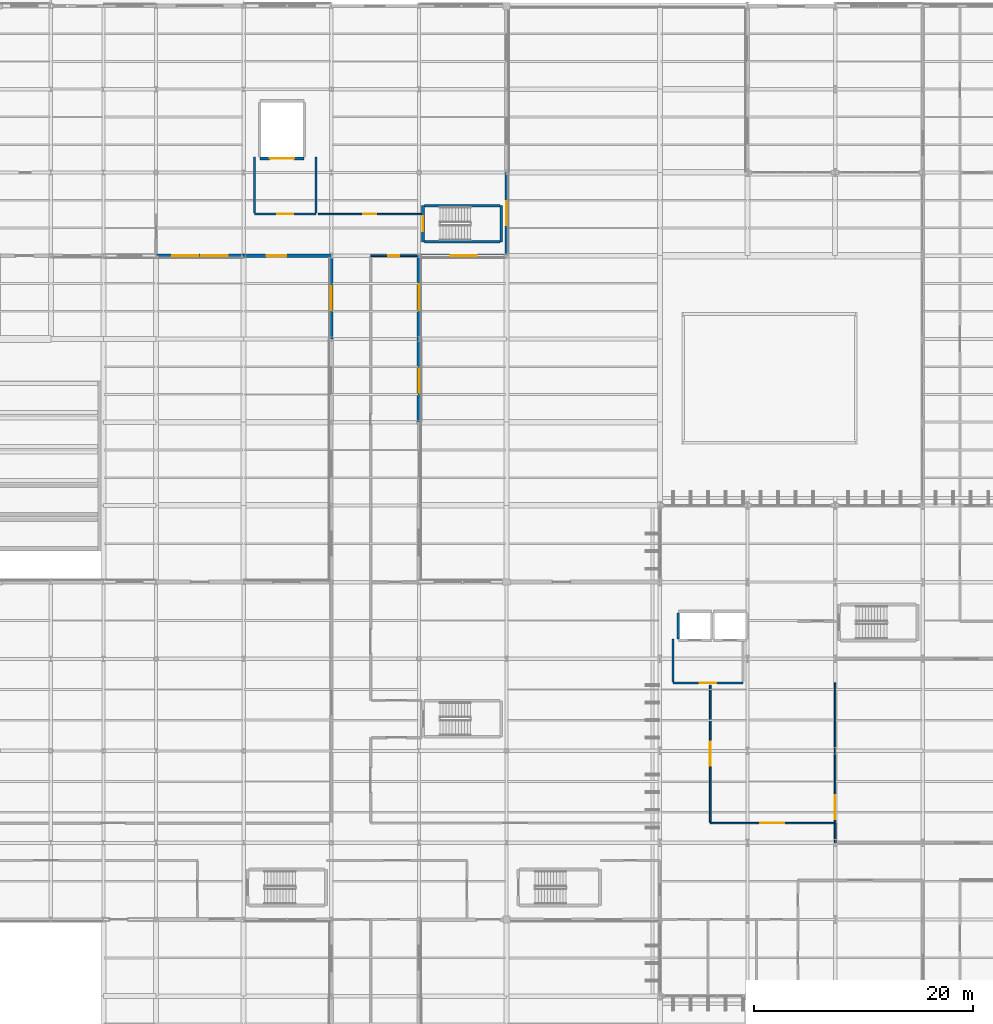
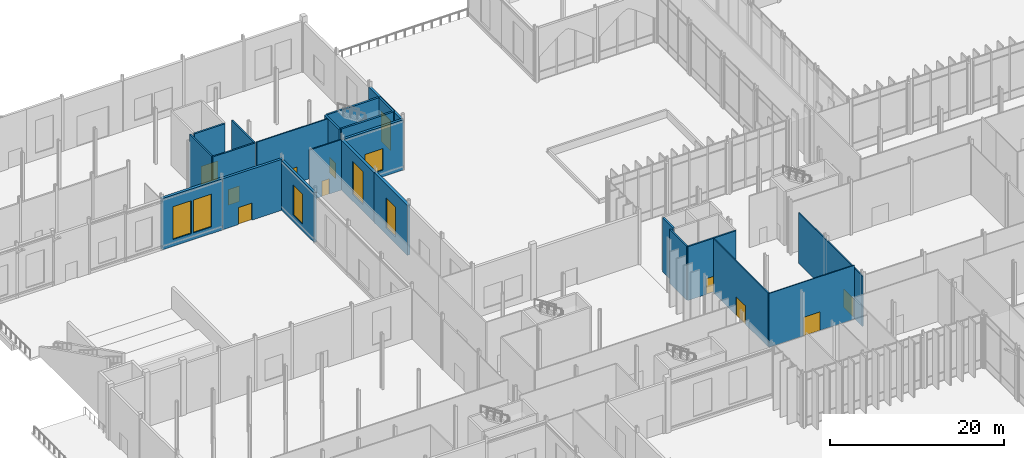
# One storey, part 139 of 176: 24 walls, 10 doors, 7 windows, 17 openings.
"""IFC4 building model written with IfcOpenShell, lengths in metres."""

from ifc_helpers import new_model, si_unit, direction, frame, frame_2d, origin, place, context, subcontext, project, spatial, rectangle, extrude, material, layer, layer_set, type_object, element, fill, save


model = new_model("IFC4")

# Units and contexts
model_context = context("Model", 3, precision=1e-05, world=origin(), true_north=direction((0.0, 1.0)))
body_context = subcontext(model_context, "Body", "Model", "MODEL_VIEW")
ifc_project = project(units=[si_unit("LENGTHUNIT", "METRE"), si_unit("AREAUNIT", "SQUARE_METRE"), si_unit("VOLUMEUNIT", "CUBIC_METRE"), si_unit("PLANEANGLEUNIT", "RADIAN"), si_unit("MASSUNIT", "GRAM", prefix="KILO")], contexts=[model_context])

# Site, building, storey
site_placement = place(None, origin())
site = spatial("IfcSite", under=ifc_project, at=site_placement, CompositionType="ELEMENT")
building_placement = place(site_placement, origin())
building = spatial("IfcBuilding", under=site, at=building_placement, Name="Vekula Escarpment Museum", CompositionType="ELEMENT")
storey_placement = place(building_placement, origin())
storey = spatial("IfcBuildingStorey", under=building, at=storey_placement, Name="L01", CompositionType="ELEMENT", Elevation=0.0)

# Wall, opening, window
ifc_material_1 = material(Name="Inkisi arkosic sandstone masonry", Category="masonry")
ifc_layer_1 = layer(ifc_material_1, 0.300048828125)
ifc_layer_set_1 = layer_set([ifc_layer_1], Name="Inkisi arkosic sandstone masonry")
wall_type_1 = type_object("IfcWallType", Name="WL-ALM-300", PredefinedType="SOLIDWALL", material=ifc_layer_set_1)
wall_1_placement = place(storey_placement, frame((56.0, 120.800048828125, 0.0), z_axis=(0.0, 0.0, 1.0), x_axis=(0.0, -1.0, 0.0)))
wall_1 = element("IfcWall", 1, at=wall_1_placement, inside=storey, type_object=wall_type_1, Name="Exterior Wall WL-EXT-L01-0215", PredefinedType="SOLIDWALL", context=body_context, shape_type="SweptSolid", body=[
    extrude(rectangle(XDim=7.43603515625, YDim=0.300048828125, at=frame_2d((3.718017578125, 0.0))), origin(), (0.0, 0.0, 1.0), 6.965087890625),
])
opening_1_placement = place(wall_1_placement, frame((2.617919921875, 0.0, 0.949951171875)))
opening_1 = element("IfcOpeningElement", 2, at=opening_1_placement, cuts=wall_1, Name="Opening WN-04", PredefinedType="OPENING", context=body_context, shape_type="SweptSolid", body=[
    extrude(rectangle(XDim=2.199951171875, YDim=4.199951171875, at=frame_2d((1.10009765625, 2.10009765625))), frame((0.0, 0.159912109375, 0.0), z_axis=(0.0, -1.0, 0.0), x_axis=(1.0, 0.0, 0.0)), (0.0, 0.0, 1.0), 0.320068359375),
])
ifc_material_2 = material(Name="Double solar-control low-E glass", Category="glass")
window_type_1 = type_object("IfcWindowType", Name="WN-ARCH-22x42", PartitioningType="DOUBLE_PANEL_VERTICAL", PredefinedType="WINDOW", material=ifc_material_2)
window_1_placement = place(opening_1_placement, origin())
window_1 = element("IfcWindow", 3, at=window_1_placement, inside=storey, type_object=window_type_1, Name="Window L01-0079", OverallHeight=4.199951171875, OverallWidth=2.199951171875, PartitioningType="SINGLE_PANEL", PredefinedType="WINDOW", context=body_context, shape_type="SweptSolid", body=[
    extrude(rectangle(XDim=2.199951171875, YDim=4.199951171875, at=frame_2d((1.10009765625, 2.10009765625))), frame((0.0, 0.030029296875, 0.0), z_axis=(0.0, -1.0, 0.0), x_axis=(1.0, 0.0, 0.0)), (0.0, 0.0, 1.0), 0.06005859375),
])
fill(opening_1, window_1)

wall_2_placement = place(storey_placement, frame((40.0, 105.60009765625, 0.0), z_axis=(0.0, 0.0, 1.0), x_axis=(0.0, 1.0, 0.0)))
wall_2 = element("IfcWall", 4, at=wall_2_placement, inside=storey, type_object=wall_type_1, Name="Exterior Wall WL-EXT-L01-0239", PredefinedType="SOLIDWALL", context=body_context, shape_type="SweptSolid", body=[
    extrude(rectangle(XDim=7.435791015625, YDim=0.300048828125, at=frame_2d((3.7177734375, 0.0))), origin(), (0.0, 0.0, 1.0), 6.965087890625),
])
opening_2_placement = place(wall_2_placement, frame((2.617919921875, 0.0, 0.949951171875)))
opening_2 = element("IfcOpeningElement", 5, at=opening_2_placement, cuts=wall_2, Name="Opening WN-04", PredefinedType="OPENING", context=body_context, shape_type="SweptSolid", body=[
    extrude(rectangle(XDim=2.199951171875, YDim=4.199951171875, at=frame_2d((1.10009765625, 2.10009765625))), frame((0.0, 0.159912109375, 0.0), z_axis=(0.0, -1.0, 0.0), x_axis=(1.0, 0.0, 0.0)), (0.0, 0.0, 1.0), 0.320068359375),
])
window_2_placement = place(opening_2_placement, origin())
window_2 = element("IfcWindow", 6, at=window_2_placement, inside=storey, type_object=window_type_1, Name="Window L01-0097", OverallHeight=4.199951171875, OverallWidth=2.199951171875, PartitioningType="SINGLE_PANEL", PredefinedType="WINDOW", context=body_context, shape_type="SweptSolid", body=[
    extrude(rectangle(XDim=2.199951171875, YDim=4.199951171875, at=frame_2d((1.10009765625, 2.10009765625))), frame((0.0, 0.030029296875, 0.0), z_axis=(0.0, -1.0, 0.0), x_axis=(1.0, 0.0, 0.0)), (0.0, 0.0, 1.0), 0.06005859375),
])
fill(opening_2, window_2)

ifc_material_3 = material(Name="Inkisi arkosic sandstone masonry", Category="masonry")
ifc_layer_2 = layer(ifc_material_3, 0.320068359375)
ifc_layer_set_2 = layer_set([ifc_layer_2], Name="Inkisi arkosic sandstone masonry")
wall_type_2 = type_object("IfcWallType", Name="WL-ALM-320", PredefinedType="SOLIDWALL", material=ifc_layer_set_2)
wall_3_placement = place(storey_placement, frame((56.0, 113.199951171875, 0.0), z_axis=(0.0, 0.0, 1.0), x_axis=(-1.0, 0.0, 0.0)))
wall_3 = element("IfcWall", 7, at=wall_3_placement, inside=storey, type_object=wall_type_2, Name="Exterior Wall WL-EXT-L01-0214", PredefinedType="SOLIDWALL", context=body_context, shape_type="SweptSolid", body=[
    extrude(rectangle(XDim=7.821044921875, YDim=0.320068359375, at=frame_2d((3.91064453125, 0.0))), origin(), (0.0, 0.0, 1.0), 7.06494140625),
])
opening_3_placement = place(wall_3_placement, frame((2.71044921875, 0.0, 0.949951171875)))
opening_3 = element("IfcOpeningElement", 8, at=opening_3_placement, cuts=wall_3, Name="Opening WN-14", PredefinedType="OPENING", context=body_context, shape_type="SweptSolid", body=[
    extrude(rectangle(XDim=2.39990234375, YDim=3.0, at=frame_2d((1.199951171875, 1.5))), frame((0.0, 0.169921875, 0.0), z_axis=(0.0, -1.0, 0.0), x_axis=(1.0, 0.0, 0.0)), (0.0, 0.0, 1.0), 0.340087890625),
])
ifc_material_4 = material(Name="Double solar-control low-E glass", Category="glass")
window_type_2 = type_object("IfcWindowType", Name="WN-CAFE-24x30", PartitioningType="TRIPLE_PANEL_VERTICAL", PredefinedType="WINDOW", material=ifc_material_4)
window_3_placement = place(opening_3_placement, origin())
window_3 = element("IfcWindow", 9, at=window_3_placement, inside=storey, type_object=window_type_2, Name="Window L01-0078", OverallHeight=3.0, OverallWidth=2.39990234375, PartitioningType="SINGLE_PANEL", PredefinedType="WINDOW", context=body_context, shape_type="SweptSolid", body=[
    extrude(rectangle(XDim=2.39990234375, YDim=3.0, at=frame_2d((1.199951171875, 1.5))), frame((0.0, 0.030029296875, 0.0), z_axis=(0.0, -1.0, 0.0), x_axis=(1.0, 0.0, 0.0)), (0.0, 0.0, 1.0), 0.06005859375),
])
fill(opening_3, window_3)

# Wall, opening, door
wall_4_placement = place(storey_placement, frame((40.0, 113.199951171875, 0.0), z_axis=(0.0, 0.0, 1.0), x_axis=(-1.0, 0.0, 0.0)))
wall_4 = element("IfcWall", 10, at=wall_4_placement, inside=storey, type_object=wall_type_2, Name="Exterior Wall WL-EXT-L01-0238", PredefinedType="SOLIDWALL", context=body_context, shape_type="SweptSolid", body=[
    extrude(rectangle(XDim=8.0, YDim=0.320068359375, at=frame_2d((4.0, 0.0))), origin(), (0.0, 0.0, 1.0), 7.14501953125),
])
opening_4_placement = place(wall_4_placement, frame((4.10009765625, 0.0, 0.0)))
opening_4 = element("IfcOpeningElement", 11, at=opening_4_placement, cuts=wall_4, Name="Opening D-EX26", PredefinedType="OPENING", context=body_context, shape_type="SweptSolid", body=[
    extrude(rectangle(XDim=1.800048828125, YDim=2.39990234375, at=frame_2d((0.89990234375, 1.199951171875))), frame((0.0, 0.169921875, 0.0), z_axis=(0.0, -1.0, 0.0), x_axis=(1.0, 0.0, 0.0)), (0.0, 0.0, 1.0), 0.340087890625),
])
ifc_material_5 = material(Name="Powder-coated steel exit door", Category="steel")
door_type_1 = type_object("IfcDoorType", Name="DR-EX-1800x2400", OperationType="NOTDEFINED", PredefinedType="DOOR", material=ifc_material_5)
door_1_placement = place(opening_4_placement, origin())
door_1 = element("IfcDoor", 12, at=door_1_placement, inside=storey, type_object=door_type_1, Name="North ST-03 Protected Exit Door D-EX26", OperationType="SINGLE_SWING_RIGHT", OverallHeight=2.39990234375, OverallWidth=1.800048828125, PredefinedType="DOOR", context=body_context, shape_type="SweptSolid", body=[
    extrude(rectangle(XDim=1.800048828125, YDim=2.39990234375, at=frame_2d((0.89990234375, 1.199951171875))), frame((0.0, 0.02490234375, 0.0), z_axis=(0.0, -1.0, 0.0), x_axis=(1.0, 0.0, 0.0)), (0.0, 0.0, 1.0), 0.050048828125),
])
fill(opening_4, door_1)

# Wall, opening, window
ifc_material_6 = material(Name="Inkisi arkosic sandstone masonry", Category="masonry")
ifc_layer_3 = layer(ifc_material_6, 0.35009765625)
ifc_layer_set_3 = layer_set([ifc_layer_3], Name="Inkisi arkosic sandstone masonry")
wall_type_3 = type_object("IfcWallType", Name="WL-ALM-350", PredefinedType="SOLIDWALL", material=ifc_layer_set_3)
wall_5_placement = place(storey_placement, frame((48.0, 113.199951171875, 0.0), z_axis=(0.0, 0.0, 1.0), x_axis=(0.0, -1.0, 0.0)))
wall_5 = element("IfcWall", 13, at=wall_5_placement, inside=storey, type_object=wall_type_3, Name="Exterior Wall WL-EXT-L01-0213", PredefinedType="SOLIDWALL", context=body_context, shape_type="SweptSolid", body=[
    extrude(rectangle(XDim=7.599853515625, YDim=0.35009765625, at=frame_2d((3.7998046875, 0.0))), origin(), (0.0, 0.0, 1.0), 6.965087890625),
])
opening_5_placement = place(wall_5_placement, frame((2.60009765625, 0.0, 0.949951171875)))
opening_5 = element("IfcOpeningElement", 14, at=opening_5_placement, cuts=wall_5, Name="Opening WN-05", PredefinedType="OPENING", context=body_context, shape_type="SweptSolid", body=[
    extrude(rectangle(XDim=2.39990234375, YDim=4.60009765625, at=frame_2d((1.199951171875, 2.300048828125))), frame((0.0, 0.18505859375, 0.0), z_axis=(0.0, -1.0, 0.0), x_axis=(1.0, 0.0, 0.0)), (0.0, 0.0, 1.0), 0.3701171875),
])
ifc_material_7 = material(Name="Double solar-control low-E glass", Category="glass")
window_type_3 = type_object("IfcWindowType", Name="WN-ARCH-24x46", PartitioningType="TRIPLE_PANEL_VERTICAL", PredefinedType="WINDOW", material=ifc_material_7)
window_4_placement = place(opening_5_placement, origin())
window_4 = element("IfcWindow", 15, at=window_4_placement, inside=storey, type_object=window_type_3, Name="Window L01-0077", OverallHeight=4.60009765625, OverallWidth=2.39990234375, PartitioningType="SINGLE_PANEL", PredefinedType="WINDOW", context=body_context, shape_type="SweptSolid", body=[
    extrude(rectangle(XDim=2.39990234375, YDim=4.60009765625, at=frame_2d((1.199951171875, 2.300048828125))), frame((0.0, 0.030029296875, 0.0), z_axis=(0.0, -1.0, 0.0), x_axis=(1.0, 0.0, 0.0)), (0.0, 0.0, 1.0), 0.06005859375),
])
fill(opening_5, window_4)

# Wall, openings, windows
wall_6_placement = place(storey_placement, frame((32.0, 113.199951171875, 0.0), z_axis=(0.0, 0.0, 1.0), x_axis=(-1.0, 0.0, 0.0)))
wall_6 = element("IfcWall", 16, at=wall_6_placement, inside=storey, type_object=wall_type_3, Name="Exterior Wall WL-EXT-L01-0237", PredefinedType="SOLIDWALL", context=body_context, shape_type="SweptSolid", body=[
    extrude(rectangle(XDim=8.0, YDim=0.35009765625, at=frame_2d((4.0, 0.0))), origin(), (0.0, 0.0, 1.0), 7.18505859375),
])
opening_6_placement = place(wall_6_placement, frame((1.466796875, 0.0, 0.949951171875)))
opening_6 = element("IfcOpeningElement", 17, at=opening_6_placement, cuts=wall_6, Name="Opening WN-05", PredefinedType="OPENING", context=body_context, shape_type="SweptSolid", body=[
    extrude(rectangle(XDim=2.39990234375, YDim=4.60009765625, at=frame_2d((1.199951171875, 2.300048828125))), frame((0.0, 0.18505859375, 0.0), z_axis=(0.0, -1.0, 0.0), x_axis=(1.0, 0.0, 0.0)), (0.0, 0.0, 1.0), 0.3701171875),
])
opening_7_placement = place(wall_6_placement, frame((4.13330078125, 0.0, 0.949951171875)))
opening_7 = element("IfcOpeningElement", 18, at=opening_7_placement, cuts=wall_6, Name="Opening WN-05", PredefinedType="OPENING", context=body_context, shape_type="SweptSolid", body=[
    extrude(rectangle(XDim=2.39990234375, YDim=4.60009765625, at=frame_2d((1.199951171875, 2.300048828125))), frame((0.0, 0.18505859375, 0.0), z_axis=(0.0, -1.0, 0.0), x_axis=(1.0, 0.0, 0.0)), (0.0, 0.0, 1.0), 0.3701171875),
])
window_5_placement = place(opening_6_placement, origin())
window_5 = element("IfcWindow", 19, at=window_5_placement, inside=storey, type_object=window_type_3, Name="Window L01-0095", OverallHeight=4.60009765625, OverallWidth=2.39990234375, PartitioningType="SINGLE_PANEL", PredefinedType="WINDOW", context=body_context, shape_type="SweptSolid", body=[
    extrude(rectangle(XDim=2.39990234375, YDim=4.60009765625, at=frame_2d((1.199951171875, 2.300048828125))), frame((0.0, 0.030029296875, 0.0), z_axis=(0.0, -1.0, 0.0), x_axis=(1.0, 0.0, 0.0)), (0.0, 0.0, 1.0), 0.06005859375),
])
fill(opening_6, window_5)
window_6_placement = place(opening_7_placement, origin())
window_6 = element("IfcWindow", 20, at=window_6_placement, inside=storey, type_object=window_type_3, Name="Window L01-0096", OverallHeight=4.60009765625, OverallWidth=2.39990234375, PartitioningType="SINGLE_PANEL", PredefinedType="WINDOW", context=body_context, shape_type="SweptSolid", body=[
    extrude(rectangle(XDim=2.39990234375, YDim=4.60009765625, at=frame_2d((1.199951171875, 2.300048828125))), frame((0.0, 0.030029296875, 0.0), z_axis=(0.0, -1.0, 0.0), x_axis=(1.0, 0.0, 0.0)), (0.0, 0.0, 1.0), 0.06005859375),
])
fill(opening_7, window_6)

# Wall, opening, window
ifc_material_8 = material(Name="Inkisi arkosic sandstone masonry", Category="masonry")
ifc_layer_4 = layer(ifc_material_8, 0.3798828125)
ifc_layer_set_4 = layer_set([ifc_layer_4], Name="Inkisi arkosic sandstone masonry")
wall_type_4 = type_object("IfcWallType", Name="WL-ALM-380", PredefinedType="SOLIDWALL", material=ifc_layer_set_4)
wall_7_placement = place(storey_placement, frame((48.0, 105.60009765625, 0.0), z_axis=(0.0, 0.0, 1.0), x_axis=(0.0, -1.0, 0.0)))
wall_7 = element("IfcWall", 21, at=wall_7_placement, inside=storey, type_object=wall_type_4, Name="Exterior Wall WL-EXT-L01-0212", PredefinedType="SOLIDWALL", context=body_context, shape_type="SweptSolid", body=[
    extrude(rectangle(XDim=7.60009765625, YDim=0.3798828125, at=frame_2d((3.800048828125, 0.0))), origin(), (0.0, 0.0, 1.0), 7.02490234375),
])
opening_8_placement = place(wall_7_placement, frame((2.699951171875, 0.0, 0.949951171875)))
opening_8 = element("IfcOpeningElement", 22, at=opening_8_placement, cuts=wall_7, Name="Opening WN-04", PredefinedType="OPENING", context=body_context, shape_type="SweptSolid", body=[
    extrude(rectangle(XDim=2.199951171875, YDim=4.199951171875, at=frame_2d((1.10009765625, 2.10009765625))), frame((0.0, 0.199951171875, 0.0), z_axis=(0.0, -1.0, 0.0), x_axis=(1.0, 0.0, 0.0)), (0.0, 0.0, 1.0), 0.39990234375),
])
window_7_placement = place(opening_8_placement, origin())
window_7 = element("IfcWindow", 23, at=window_7_placement, inside=storey, type_object=window_type_1, Name="Window L01-0076", OverallHeight=4.199951171875, OverallWidth=2.199951171875, PartitioningType="SINGLE_PANEL", PredefinedType="WINDOW", context=body_context, shape_type="SweptSolid", body=[
    extrude(rectangle(XDim=2.199951171875, YDim=4.199951171875, at=frame_2d((1.10009765625, 2.10009765625))), frame((0.0, 0.030029296875, 0.0), z_axis=(0.0, -1.0, 0.0), x_axis=(1.0, 0.0, 0.0)), (0.0, 0.0, 1.0), 0.06005859375),
])
fill(opening_8, window_7)

# Wall, opening, door
ifc_material_9 = material(Name="Concrete C35/45", Category="concrete")
ifc_layer_5 = layer(ifc_material_9, 0.25)
ifc_layer_set_5 = layer_set([ifc_layer_5], Name="Concrete C35/45")
wall_type_5 = type_object("IfcWallType", Name="WL-CORE-250", PredefinedType="SHEAR", material=ifc_layer_set_5)
wall_8_placement = place(storey_placement, frame((48.375, 114.47509765625, 0.0), z_axis=(0.0, 0.0, 1.0), x_axis=(0.0, 1.0, 0.0)))
wall_8 = element("IfcWall", 24, at=wall_8_placement, inside=storey, type_object=wall_type_5, Name="Stair Core Wall ST-03 L01 W", PredefinedType="SHEAR", context=body_context, shape_type="SweptSolid", body=[
    extrude(rectangle(XDim=3.289794921875, YDim=0.25, at=frame_2d((1.64501953125, 0.0))), origin(), (0.0, 0.0, 1.0), 7.5400390625),
])
opening_9_placement = place(wall_8_placement, frame((0.945068359375, 0.0, 0.0)))
opening_9 = element("IfcOpeningElement", 25, at=opening_9_placement, cuts=wall_8, Name="Opening DR-FD60", PredefinedType="OPENING", context=body_context, shape_type="SweptSolid", body=[
    extrude(rectangle(XDim=1.39990234375, YDim=2.199951171875, at=frame_2d((0.699951171875, 1.10009765625))), frame((0.0, 0.135009765625, 0.0), z_axis=(0.0, -1.0, 0.0), x_axis=(1.0, 0.0, 0.0)), (0.0, 0.0, 1.0), 0.27001953125),
])
ifc_material_10 = material(Name="Fire-rated steel stair door", Category="steel")
door_type_2 = type_object("IfcDoorType", Name="DR-STAIR-1400x2200", OperationType="NOTDEFINED", PredefinedType="DOOR", material=ifc_material_10)
door_2_placement = place(opening_9_placement, origin())
door_2 = element("IfcDoor", 26, at=door_2_placement, inside=storey, type_object=door_type_2, Name="Protected Exit Stair Door ST-03 L01", OperationType="SINGLE_SWING_LEFT", OverallHeight=2.199951171875, OverallWidth=1.39990234375, PredefinedType="DOOR", context=body_context, shape_type="SweptSolid", body=[
    extrude(rectangle(XDim=1.39990234375, YDim=2.199951171875, at=frame_2d((0.699951171875, 1.10009765625))), frame((0.0, 0.02490234375, 0.0), z_axis=(0.0, -1.0, 0.0), x_axis=(1.0, 0.0, 0.0)), (0.0, 0.0, 1.0), 0.050048828125),
])
fill(opening_9, door_2)

# Walls
wall_9_placement = place(storey_placement, frame((55.52490234375, 114.47509765625, 0.0), z_axis=(0.0, 0.0, 1.0), x_axis=(0.0, 1.0, 0.0)))
element("IfcWall", 27, at=wall_9_placement, inside=storey, type_object=wall_type_5, Name="Stair Core Wall ST-03 L01 E", PredefinedType="SHEAR", context=body_context, shape_type="SweptSolid", body=[
    extrude(rectangle(XDim=3.289794921875, YDim=0.25, at=frame_2d((1.64501953125, 0.0))), origin(), (0.0, 0.0, 1.0), 7.5400390625),
])
for number, where, z_axis, x_axis, name in (
    (28, (48.50390625, 114.47509765625, 0.0), (0.0, 0.0, 1.0), (1.0, 0.0, 0.0), "Stair Core Wall ST-03 L01 S"),
    (29, (48.50390625, 117.764892578125, 0.0), (0.0, 0.0, 1.0), (1.0, 0.0, 0.0), "Stair Core Wall ST-03 L01 N"),
):
    element("IfcWall", number, at=place(storey_placement, frame(where, z_axis=z_axis, x_axis=x_axis)), inside=storey, type_object=wall_type_5, Name=name, PredefinedType="SHEAR", context=body_context, shape_type="SweptSolid", body=[
        extrude(rectangle(XDim=6.89208984375, YDim=0.25, at=frame_2d((3.446044921875, 0.0))), origin(), (0.0, 0.0, 1.0), 7.5400390625),
    ])

# Wall, opening, door
ifc_material_11 = material(Name="Concrete C35/45", Category="concrete")
ifc_layer_6 = layer(ifc_material_11, 0.199951171875)
ifc_layer_set_6 = layer_set([ifc_layer_6], Name="Concrete C35/45")
wall_type_6 = type_object("IfcWallType", Name="WL-FFL-200", PredefinedType="PARTITIONING", material=ifc_layer_set_6)
wall_10_placement = place(storey_placement, frame((71.199951171875, 74.199951171875, 0.0), z_axis=(0.0, 0.0, 1.0), x_axis=(1.0, 0.0, 0.0)))
wall_10 = element("IfcWall", 30, at=wall_10_placement, inside=storey, type_object=wall_type_6, Name="Lift Lobby Wall LP-01 L01 S", PredefinedType="PARTITIONING", context=body_context, shape_type="SweptSolid", body=[
    extrude(rectangle(XDim=6.400146484375, YDim=0.199951171875, at=frame_2d((3.2001953125, 0.0))), origin(), (0.0, 0.0, 1.0), 7.5400390625),
])
opening_10_placement = place(wall_10_placement, frame((2.449951171875, 0.0, 0.0)))
opening_10 = element("IfcOpeningElement", 31, at=opening_10_placement, cuts=wall_10, Name="Opening DR-FD60L", PredefinedType="OPENING", context=body_context, shape_type="SweptSolid", body=[
    extrude(rectangle(XDim=1.5, YDim=2.199951171875, at=frame_2d((0.75, 1.10009765625))), frame((0.0, 0.10986328125, 0.0), z_axis=(0.0, -1.0, 0.0), x_axis=(1.0, 0.0, 0.0)), (0.0, 0.0, 1.0), 0.219970703125),
])
ifc_material_12 = material(Name="Fire-rated glazed lobby door", Category="steel")
door_type_3 = type_object("IfcDoorType", Name="DR-FFLOB-1500x2200", OperationType="NOTDEFINED", PredefinedType="DOOR", material=ifc_material_12)
door_3_placement = place(opening_10_placement, origin())
door_3 = element("IfcDoor", 32, at=door_3_placement, inside=storey, type_object=door_type_3, Name="Lift Lobby Fire Door LP-01 L01", OperationType="SINGLE_SWING_LEFT", OverallHeight=2.199951171875, OverallWidth=1.5, PredefinedType="DOOR", context=body_context, shape_type="SweptSolid", body=[
    extrude(rectangle(XDim=1.5, YDim=2.199951171875, at=frame_2d((0.75, 1.10009765625))), frame((0.0, 0.02490234375, 0.0), z_axis=(0.0, -1.0, 0.0), x_axis=(1.0, 0.0, 0.0)), (0.0, 0.0, 1.0), 0.050048828125),
])
fill(opening_10, door_3)

# Wall
wall_11_placement = place(storey_placement, frame((71.199951171875, 74.303955078125, 0.0), z_axis=(0.0, 0.0, 1.0), x_axis=(0.0, 1.0, 0.0)))
element("IfcWall", 33, at=wall_11_placement, inside=storey, type_object=wall_type_6, Name="Lift Lobby Wall LP-01 L01 W", PredefinedType="PARTITIONING", context=body_context, shape_type="SweptSolid", body=[
    extrude(rectangle(XDim=3.89599609375, YDim=0.199951171875, at=frame_2d((1.947998046875, 0.0))), origin(), (0.0, 0.0, 1.0), 7.5400390625),
])

# Wall, opening, door
wall_12_placement = place(storey_placement, frame((33.0, 117.0, 0.0), z_axis=(0.0, 0.0, 1.0), x_axis=(1.0, 0.0, 0.0)))
wall_12 = element("IfcWall", 34, at=wall_12_placement, inside=storey, type_object=wall_type_6, Name="Lift Lobby Wall GL-01 L01 S", PredefinedType="PARTITIONING", context=body_context, shape_type="SweptSolid", body=[
    extrude(rectangle(XDim=5.60009765625, YDim=0.199951171875, at=frame_2d((2.800048828125, 0.0))), origin(), (0.0, 0.0, 1.0), 7.5400390625),
])
opening_11_placement = place(wall_12_placement, frame((2.050048828125, 0.0, 0.0)))
opening_11 = element("IfcOpeningElement", 35, at=opening_11_placement, cuts=wall_12, Name="Opening DR-FD60L", PredefinedType="OPENING", context=body_context, shape_type="SweptSolid", body=[
    extrude(rectangle(XDim=1.5, YDim=2.199951171875, at=frame_2d((0.75, 1.10009765625))), frame((0.0, 0.10986328125, 0.0), z_axis=(0.0, -1.0, 0.0), x_axis=(1.0, 0.0, 0.0)), (0.0, 0.0, 1.0), 0.219970703125),
])
door_4_placement = place(opening_11_placement, origin())
door_4 = element("IfcDoor", 36, at=door_4_placement, inside=storey, type_object=door_type_3, Name="Lift Lobby Fire Door GL-01 L01", OperationType="SINGLE_SWING_LEFT", OverallHeight=2.199951171875, OverallWidth=1.5, PredefinedType="DOOR", context=body_context, shape_type="SweptSolid", body=[
    extrude(rectangle(XDim=1.5, YDim=2.199951171875, at=frame_2d((0.75, 1.10009765625))), frame((0.0, 0.02490234375, 0.0), z_axis=(0.0, -1.0, 0.0), x_axis=(1.0, 0.0, 0.0)), (0.0, 0.0, 1.0), 0.050048828125),
])
fill(opening_11, door_4)

# Walls
for number, where, z_axis, x_axis, name in (
    (37, (33.0, 117.10400390625, 0.0), (0.0, 0.0, 1.0), (0.0, 1.0, 0.0), "Lift Lobby Wall GL-01 L01 W"),
    (38, (38.60009765625, 117.10400390625, 0.0), (0.0, 0.0, 1.0), (0.0, 1.0, 0.0), "Lift Lobby Wall GL-01 L01 E"),
):
    element("IfcWall", number, at=place(storey_placement, frame(where, z_axis=z_axis, x_axis=x_axis)), inside=storey, type_object=wall_type_6, Name=name, PredefinedType="PARTITIONING", context=body_context, shape_type="SweptSolid", body=[
        extrude(rectangle(XDim=5.095947265625, YDim=0.199951171875, at=frame_2d((2.5478515625, 0.0))), origin(), (0.0, 0.0, 1.0), 7.5400390625),
    ])

# Wall, opening, door
ifc_material_13 = material(Name="Lightweight studio partition", Category="gypsum")
ifc_layer_7 = layer(ifc_material_13, 0.1201171875)
ifc_layer_set_7 = layer_set([ifc_layer_7], Name="Lightweight studio partition")
wall_type_7 = type_object("IfcWallType", Name="WL-PART-120", PredefinedType="PARTITIONING", material=ifc_layer_set_7)
wall_13_placement = place(storey_placement, frame((74.60009765625, 61.39990234375, 0.0), z_axis=(0.0, 0.0, 1.0), x_axis=(1.0, 0.0, 0.0)))
wall_13 = element("IfcWall", 39, at=wall_13_placement, inside=storey, type_object=wall_type_7, Name="Interior Partition WL-INT-L01-0036", PredefinedType="PARTITIONING", context=body_context, shape_type="SweptSolid", body=[
    extrude(rectangle(XDim=11.31591796875, YDim=0.1201171875, at=frame_2d((5.657958984375, 0.0))), origin(), (0.0, 0.0, 1.0), 7.5400390625),
])
opening_12_placement = place(wall_13_placement, frame((4.55810546875, 0.0, 0.0)))
opening_12 = element("IfcOpeningElement", 40, at=opening_12_placement, cuts=wall_13, Name="Opening DR-GL22", PredefinedType="OPENING", context=body_context, shape_type="SweptSolid", body=[
    extrude(rectangle(XDim=2.199951171875, YDim=2.60009765625, at=frame_2d((1.10009765625, 1.300048828125))), frame((0.0, 0.070068359375, 0.0), z_axis=(0.0, -1.0, 0.0), x_axis=(1.0, 0.0, 0.0)), (0.0, 0.0, 1.0), 0.14013671875),
])
ifc_material_14 = material(Name="Double acoustic timber gallery door", Category="wood")
door_type_4 = type_object("IfcDoorType", Name="DR-GAL-2200x2600", OperationType="NOTDEFINED", PredefinedType="DOOR", material=ifc_material_14)
door_5_placement = place(opening_12_placement, origin())
door_5 = element("IfcDoor", 41, at=door_5_placement, inside=storey, type_object=door_type_4, Name="Interior Door L01-033", OperationType="SINGLE_SWING_RIGHT", OverallHeight=2.60009765625, OverallWidth=2.199951171875, PredefinedType="DOOR", context=body_context, shape_type="SweptSolid", body=[
    extrude(rectangle(XDim=2.199951171875, YDim=2.60009765625, at=frame_2d((1.10009765625, 1.300048828125))), frame((0.0, 0.02490234375, 0.0), z_axis=(0.0, -1.0, 0.0), x_axis=(1.0, 0.0, 0.0)), (0.0, 0.0, 1.0), 0.050048828125),
])
fill(opening_12, door_5)

ifc_material_15 = material(Name="Gypsum board dry-lined partition", Category="gypsum")
ifc_layer_8 = layer(ifc_material_15, 0.14990234375)
ifc_layer_set_8 = layer_set([ifc_layer_8], Name="Gypsum board dry-lined partition")
wall_type_8 = type_object("IfcWallType", Name="WL-PART-150", PredefinedType="PARTITIONING", material=ifc_layer_set_8)
wall_14_placement = place(storey_placement, frame((38.800048828125, 117.0, 0.0), z_axis=(0.0, 0.0, 1.0), x_axis=(1.0, 0.0, 0.0)))
wall_14 = element("IfcWall", 42, at=wall_14_placement, inside=storey, type_object=wall_type_8, Name="Interior Partition WL-INT-L01-0002", PredefinedType="PARTITIONING", context=body_context, shape_type="SweptSolid", body=[
    extrude(rectangle(XDim=9.446044921875, YDim=0.14990234375, at=frame_2d((4.72314453125, 0.0))), origin(), (0.0, 0.0, 1.0), 7.5400390625),
])
opening_13_placement = place(wall_14_placement, frame((4.123046875, 0.0, 0.0)))
opening_13 = element("IfcOpeningElement", 43, at=opening_13_placement, cuts=wall_14, Name="Opening DR-LB12", PredefinedType="OPENING", context=body_context, shape_type="SweptSolid", body=[
    extrude(rectangle(XDim=1.199951171875, YDim=2.199951171875, at=frame_2d((0.60009765625, 1.10009765625))), frame((0.0, 0.0849609375, 0.0), z_axis=(0.0, -1.0, 0.0), x_axis=(1.0, 0.0, 0.0)), (0.0, 0.0, 1.0), 0.169921875),
])
ifc_material_16 = material(Name="Sealed conservation laboratory door", Category="steel")
door_type_5 = type_object("IfcDoorType", Name="DR-LAB-1200x2200", OperationType="NOTDEFINED", PredefinedType="DOOR", material=ifc_material_16)
door_6_placement = place(opening_13_placement, origin())
door_6 = element("IfcDoor", 44, at=door_6_placement, inside=storey, type_object=door_type_5, Name="Interior Door L01-002", OperationType="SINGLE_SWING_LEFT", OverallHeight=2.199951171875, OverallWidth=1.199951171875, PredefinedType="DOOR", context=body_context, shape_type="SweptSolid", body=[
    extrude(rectangle(XDim=1.199951171875, YDim=2.199951171875, at=frame_2d((0.60009765625, 1.10009765625))), frame((0.0, 0.02490234375, 0.0), z_axis=(0.0, -1.0, 0.0), x_axis=(1.0, 0.0, 0.0)), (0.0, 0.0, 1.0), 0.050048828125),
])
fill(opening_13, door_6)

wall_15_placement = place(storey_placement, frame((86.0, 61.39990234375, 0.0), z_axis=(0.0, 0.0, 1.0), x_axis=(0.0, 1.0, 0.0)))
wall_15 = element("IfcWall", 45, at=wall_15_placement, inside=storey, type_object=wall_type_8, Name="Interior Partition WL-INT-L01-0035", PredefinedType="PARTITIONING", context=body_context, shape_type="SweptSolid", body=[
    extrude(rectangle(XDim=12.800048828125, YDim=0.14990234375, at=frame_2d((6.39990234375, 0.0))), origin(), (0.0, 0.0, 1.0), 7.0849609375),
])
opening_14_placement = place(wall_15_placement, frame((0.35009765625, 0.0, 0.0)))
opening_14 = element("IfcOpeningElement", 46, at=opening_14_placement, cuts=wall_15, Name="Opening DR-GL22", PredefinedType="OPENING", context=body_context, shape_type="SweptSolid", body=[
    extrude(rectangle(XDim=2.199951171875, YDim=2.60009765625, at=frame_2d((1.10009765625, 1.300048828125))), frame((0.0, 0.0849609375, 0.0), z_axis=(0.0, -1.0, 0.0), x_axis=(1.0, 0.0, 0.0)), (0.0, 0.0, 1.0), 0.169921875),
])
door_7_placement = place(opening_14_placement, origin())
door_7 = element("IfcDoor", 47, at=door_7_placement, inside=storey, type_object=door_type_4, Name="Interior Door L01-032", OperationType="SINGLE_SWING_LEFT", OverallHeight=2.60009765625, OverallWidth=2.199951171875, PredefinedType="DOOR", context=body_context, shape_type="SweptSolid", body=[
    extrude(rectangle(XDim=2.199951171875, YDim=2.60009765625, at=frame_2d((1.10009765625, 1.300048828125))), frame((0.0, 0.02490234375, 0.0), z_axis=(0.0, -1.0, 0.0), x_axis=(1.0, 0.0, 0.0)), (0.0, 0.0, 1.0), 0.050048828125),
])
fill(opening_14, door_7)

ifc_material_17 = material(Name="Gypsum board gallery partition", Category="gypsum")
ifc_layer_9 = layer(ifc_material_17, 0.159912109375)
ifc_layer_set_9 = layer_set([ifc_layer_9], Name="Gypsum board gallery partition")
wall_type_9 = type_object("IfcWallType", Name="WL-PART-160", PredefinedType="PARTITIONING", material=ifc_layer_set_9)
wall_16_placement = place(storey_placement, frame((43.60009765625, 113.199951171875, 0.0), z_axis=(0.0, 0.0, 1.0), x_axis=(1.0, 0.0, 0.0)))
wall_16 = element("IfcWall", 48, at=wall_16_placement, inside=storey, type_object=wall_type_9, Name="Interior Partition WL-INT-L01-0004", PredefinedType="PARTITIONING", context=body_context, shape_type="SweptSolid", body=[
    extrude(rectangle(XDim=4.220947265625, YDim=0.159912109375, at=frame_2d((2.1103515625, 0.0))), origin(), (0.0, 0.0, 1.0), 7.06494140625),
])
opening_15_placement = place(wall_16_placement, frame((1.610595703125, 0.0, 0.0)))
opening_15 = element("IfcOpeningElement", 49, at=opening_15_placement, cuts=wall_16, Name="Opening DR-OF10", PredefinedType="OPENING", context=body_context, shape_type="SweptSolid", body=[
    extrude(rectangle(XDim=1.0, YDim=2.14990234375, at=frame_2d((0.5, 1.074951171875))), frame((0.0, 0.08984375, 0.0), z_axis=(0.0, -1.0, 0.0), x_axis=(1.0, 0.0, 0.0)), (0.0, 0.0, 1.0), 0.179931640625),
])
ifc_material_18 = material(Name="Solid core timber study door", Category="wood")
door_type_6 = type_object("IfcDoorType", Name="DR-OFF-1000x2150", OperationType="NOTDEFINED", PredefinedType="DOOR", material=ifc_material_18)
door_8_placement = place(opening_15_placement, origin())
door_8 = element("IfcDoor", 50, at=door_8_placement, inside=storey, type_object=door_type_6, Name="Interior Door L01-004", OperationType="SINGLE_SWING_LEFT", OverallHeight=2.14990234375, OverallWidth=1.0, PredefinedType="DOOR", context=body_context, shape_type="SweptSolid", body=[
    extrude(rectangle(XDim=1.0, YDim=2.14990234375, at=frame_2d((0.5, 1.074951171875))), frame((0.0, 0.02490234375, 0.0), z_axis=(0.0, -1.0, 0.0), x_axis=(1.0, 0.0, 0.0)), (0.0, 0.0, 1.0), 0.050048828125),
])
fill(opening_15, door_8)

# Wall
wall_17_placement = place(storey_placement, frame((86.0, 59.60009765625, 0.0), z_axis=(0.0, 0.0, 1.0), x_axis=(0.0, 1.0, 0.0)))
element("IfcWall", 51, at=wall_17_placement, inside=storey, type_object=wall_type_9, Name="Interior Partition WL-INT-L01-0031", PredefinedType="PARTITIONING", context=body_context, shape_type="SweptSolid", body=[
    extrude(rectangle(XDim=1.7998046875, YDim=0.159912109375, at=frame_2d((0.89990234375, 0.0))), origin(), (0.0, 0.0, 1.0), 7.0849609375),
])

# Wall, opening, door
wall_18_placement = place(storey_placement, frame((74.60009765625, 61.464111328125, 0.0), z_axis=(0.0, 0.0, 1.0), x_axis=(0.0, 1.0, 0.0)))
wall_18 = element("IfcWall", 52, at=wall_18_placement, inside=storey, type_object=wall_type_9, Name="Interior Partition WL-INT-L01-0037", PredefinedType="PARTITIONING", context=body_context, shape_type="SweptSolid", body=[
    extrude(rectangle(XDim=12.535888671875, YDim=0.159912109375, at=frame_2d((6.26806640625, 0.0))), origin(), (0.0, 0.0, 1.0), 7.5400390625),
])
opening_16_placement = place(wall_18_placement, frame((5.16796875, 0.0, 0.0)))
opening_16 = element("IfcOpeningElement", 53, at=opening_16_placement, cuts=wall_18, Name="Opening DR-GL22", PredefinedType="OPENING", context=body_context, shape_type="SweptSolid", body=[
    extrude(rectangle(XDim=2.199951171875, YDim=2.60009765625, at=frame_2d((1.10009765625, 1.300048828125))), frame((0.0, 0.08984375, 0.0), z_axis=(0.0, -1.0, 0.0), x_axis=(1.0, 0.0, 0.0)), (0.0, 0.0, 1.0), 0.179931640625),
])
door_9_placement = place(opening_16_placement, origin())
door_9 = element("IfcDoor", 54, at=door_9_placement, inside=storey, type_object=door_type_4, Name="Interior Door L01-034", OperationType="SINGLE_SWING_LEFT", OverallHeight=2.60009765625, OverallWidth=2.199951171875, PredefinedType="DOOR", context=body_context, shape_type="SweptSolid", body=[
    extrude(rectangle(XDim=2.199951171875, YDim=2.60009765625, at=frame_2d((1.10009765625, 1.300048828125))), frame((0.0, 0.02490234375, 0.0), z_axis=(0.0, -1.0, 0.0), x_axis=(1.0, 0.0, 0.0)), (0.0, 0.0, 1.0), 0.050048828125),
])
fill(opening_16, door_9)

# Wall
ifc_material_19 = material(Name="Concrete C35/45", Category="concrete")
ifc_layer_10 = layer(ifc_material_19, 0.239990234375)
ifc_layer_set_10 = layer_set([ifc_layer_10], Name="Concrete C35/45")
wall_type_10 = type_object("IfcWallType", Name="WL-SHF-240", PredefinedType="SHEAR", material=ifc_layer_set_10)
wall_19_placement = place(storey_placement, frame((71.679931640625, 78.2041015625, 0.0), z_axis=(0.0, 0.0, 1.0), x_axis=(0.0, 1.0, 0.0)))
element("IfcWall", 55, at=wall_19_placement, inside=storey, type_object=wall_type_10, Name="Lift Shaft Wall LP-01 L01 W", PredefinedType="SHEAR", context=body_context, shape_type="SweptSolid", body=[
    extrude(rectangle(XDim=2.391845703125, YDim=0.239990234375, at=frame_2d((1.19580078125, 0.0))), origin(), (0.0, 0.0, 1.0), 7.5400390625),
])

# Wall, opening, door
wall_20_placement = place(storey_placement, frame((33.47998046875, 122.080078125, 0.0), z_axis=(0.0, 0.0, 1.0), x_axis=(1.0, 0.0, 0.0)))
wall_20 = element("IfcWall", 56, at=wall_20_placement, inside=storey, type_object=wall_type_10, Name="Lift Shaft Wall GL-01 L01 S", PredefinedType="SHEAR", context=body_context, shape_type="SweptSolid", body=[
    extrude(rectangle(XDim=4.0400390625, YDim=0.239990234375, at=frame_2d((2.02001953125, 0.0))), origin(), (0.0, 0.0, 1.0), 7.5400390625),
])
opening_17_placement = place(wall_20_placement, frame((0.919921875, 0.0, 0.0)))
opening_17 = element("IfcOpeningElement", 57, at=opening_17_placement, cuts=wall_20, Name="Opening LD-GDS", PredefinedType="OPENING", context=body_context, shape_type="SweptSolid", body=[
    extrude(rectangle(XDim=2.199951171875, YDim=2.60009765625, at=frame_2d((1.10009765625, 1.300048828125))), frame((0.0, 0.1298828125, 0.0), z_axis=(0.0, -1.0, 0.0), x_axis=(1.0, 0.0, 0.0)), (0.0, 0.0, 1.0), 0.260009765625),
])
ifc_material_20 = material(Name="Heavy-duty bi-parting goods lift landing door", Category="steel")
door_type_7 = type_object("IfcDoorType", Name="DR-LD-GDS-2200", OperationType="DOUBLE_DOOR_SLIDING", PredefinedType="DOOR", material=ifc_material_20)
door_10_placement = place(opening_17_placement, origin())
door_10 = element("IfcDoor", 58, at=door_10_placement, inside=storey, type_object=door_type_7, Name="Sliding Lift Landing Door GL-01 L01", OperationType="DOUBLE_DOOR_SLIDING", OverallHeight=2.60009765625, OverallWidth=2.199951171875, PredefinedType="DOOR", context=body_context, shape_type="SweptSolid", body=[
    extrude(rectangle(XDim=2.199951171875, YDim=2.60009765625, at=frame_2d((1.10009765625, 1.300048828125))), frame((0.0, 0.02490234375, 0.0), z_axis=(0.0, -1.0, 0.0), x_axis=(1.0, 0.0, 0.0)), (0.0, 0.0, 1.0), 0.050048828125),
])
fill(opening_17, door_10)

save(model, "model.ifc")
